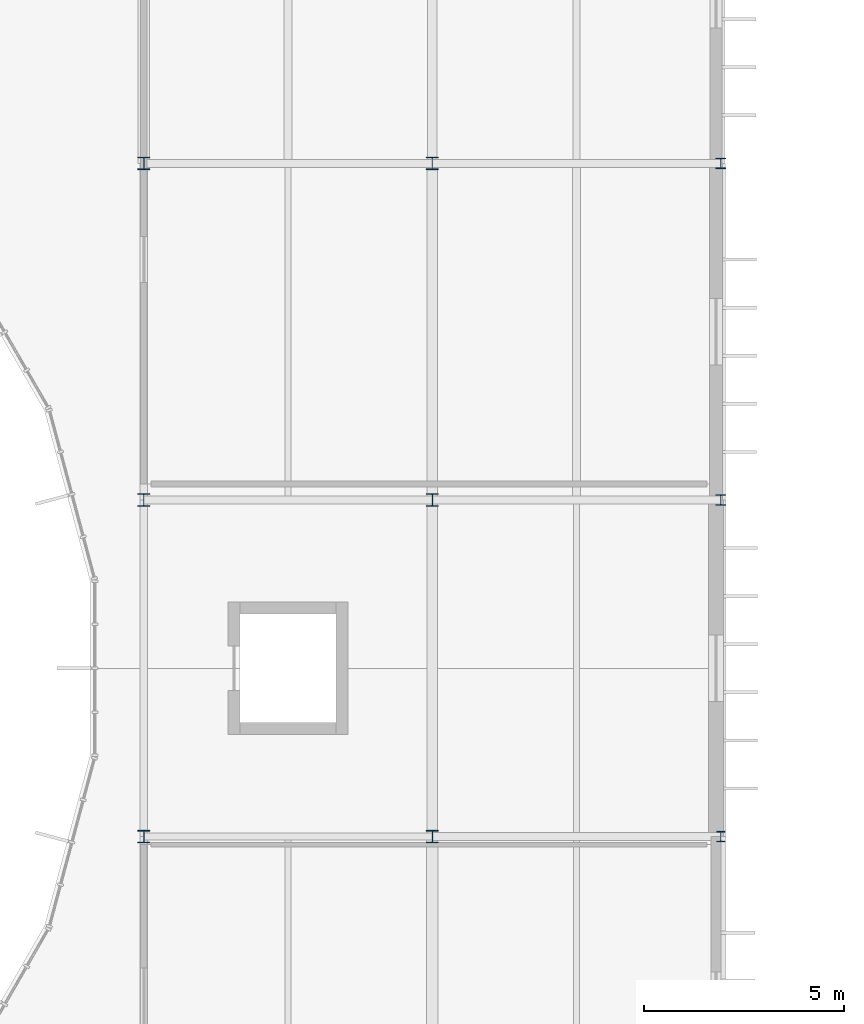
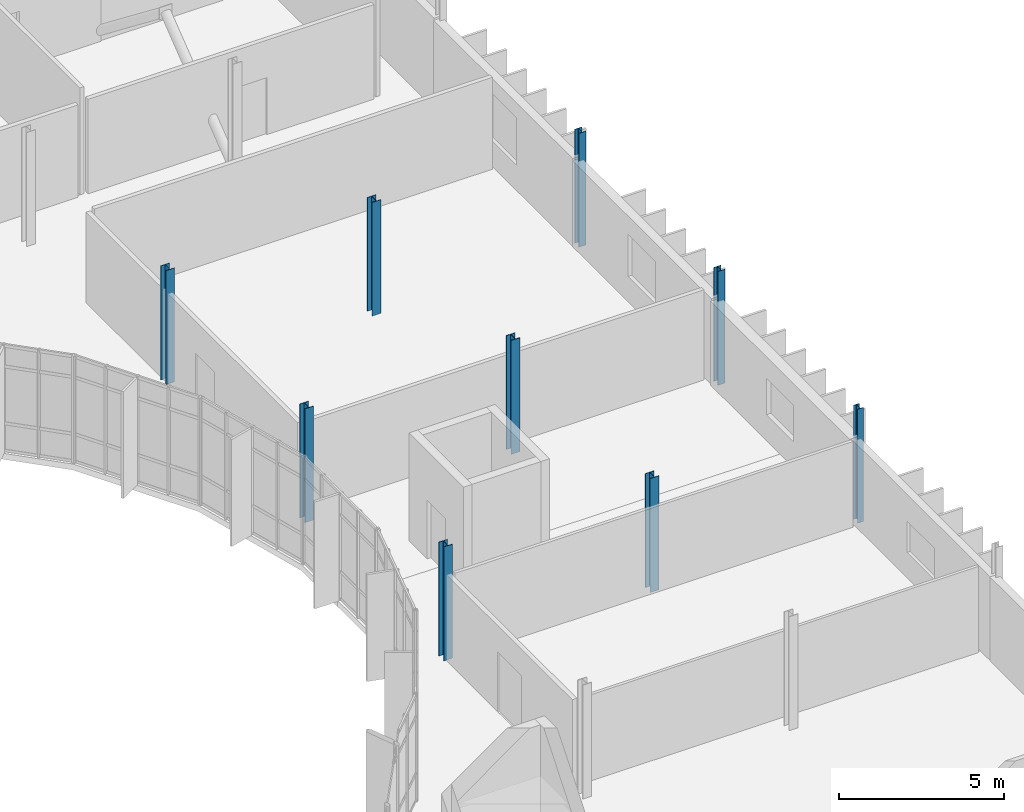
# One storey, part 23 of 119: 9 columns.
"""IFC4 building model written with IfcOpenShell, lengths in metres."""

from ifc_helpers import new_model, si_unit, direction, frame, origin, origin_2d, place, context, subcontext, project, spatial, i_section, extrude, material, material_profile, profile_set, type_object, element, save


model = new_model("IFC4")

# Units and contexts
model_context = context("Model", 3, precision=1e-05, world=origin(), true_north=direction((0.0, 1.0)))
body_context = subcontext(model_context, "Body", "Model", "MODEL_VIEW")
ifc_project = project(units=[si_unit("LENGTHUNIT", "METRE"), si_unit("AREAUNIT", "SQUARE_METRE"), si_unit("VOLUMEUNIT", "CUBIC_METRE"), si_unit("PLANEANGLEUNIT", "RADIAN"), si_unit("MASSUNIT", "GRAM", prefix="KILO")], contexts=[model_context])

# Site, building, storey
site_placement = place(None, origin())
site = spatial("IfcSite", under=ifc_project, at=site_placement, CompositionType="ELEMENT")
building_placement = place(site_placement, origin())
building = spatial("IfcBuilding", under=site, at=building_placement, Name="Qelthora Terrace Specialist Clinic", CompositionType="ELEMENT")
storey_placement = place(building_placement, frame((0.0, 0.0, 4.800048828125)))
storey = spatial("IfcBuildingStorey", under=building, at=storey_placement, Name="L01", CompositionType="ELEMENT", Elevation=4.800048828125)

# Columns
ifc_material = material(Name="Steel S355", Category="steel")
ifc_material_profile_1 = material_profile(ifc_material, i_section(OverallWidth=0.2041015625, OverallDepth=0.257080078125, WebThickness=0.0087890625, FlangeThickness=0.015625, FilletRadius=0.012939453125, at=origin_2d()), Name="W250X67")
ifc_profile_set_1 = profile_set([ifc_material_profile_1], Name="Steel S355")
column_type_1 = type_object("IfcColumnType", Name="COL-W250X67", PredefinedType="COLUMN", material=ifc_profile_set_1)
column_1_placement = place(storey_placement, frame((158.39990234375, 58.800048828125, 0.0), z_axis=(0.0, 0.0, 1.0), x_axis=(1.0, 0.0, 0.0)))
element("IfcColumn", 1, at=column_1_placement, inside=storey, type_object=column_type_1, Name="Column L01-255", PredefinedType="COLUMN", context=body_context, shape_type="SweptSolid", body=[
    extrude(i_section(OverallWidth=0.2041015625, OverallDepth=0.257080078125, WebThickness=0.0087890625, FlangeThickness=0.015625, FilletRadius=0.012939453125, at=origin_2d()), origin(), (0.0, 0.0, 1.0), 4.199951171875),
])
ifc_material_profile_2 = material_profile(ifc_material, i_section(OverallWidth=0.2548828125, OverallDepth=0.256103515625, WebThickness=0.009521484375, FlangeThickness=0.015625, FilletRadius=0.012939453125, at=origin_2d()), Name="W250X80")
ifc_profile_set_2 = profile_set([ifc_material_profile_2], Name="Steel S355")
column_type_2 = type_object("IfcColumnType", Name="COL-W250X80", PredefinedType="COLUMN", material=ifc_profile_set_2)
column_2_placement = place(storey_placement, frame((158.39990234375, 75.60009765625, 0.0), z_axis=(0.0, 0.0, 1.0), x_axis=(1.0, 0.0, 0.0)))
element("IfcColumn", 2, at=column_2_placement, inside=storey, type_object=column_type_2, Name="Column L01-257", PredefinedType="COLUMN", context=body_context, shape_type="SweptSolid", body=[
    extrude(i_section(OverallWidth=0.2548828125, OverallDepth=0.256103515625, WebThickness=0.009521484375, FlangeThickness=0.015625, FilletRadius=0.012939453125, at=origin_2d()), origin(), (0.0, 0.0, 1.0), 4.199951171875),
])
ifc_material_profile_3 = material_profile(ifc_material, i_section(OverallWidth=0.256103515625, OverallDepth=0.260009765625, WebThickness=0.0107421875, FlangeThickness=0.017333984375, FilletRadius=0.012939453125, at=origin_2d()), Name="W250X89")
ifc_profile_set_3 = profile_set([ifc_material_profile_3], Name="Steel S355")
column_type_3 = type_object("IfcColumnType", Name="COL-W250X89", PredefinedType="COLUMN", material=ifc_profile_set_3)
column_3_placement = place(storey_placement, frame((158.39990234375, 67.199951171875, 0.0), z_axis=(0.0, 0.0, 1.0), x_axis=(1.0, 0.0, 0.0)))
element("IfcColumn", 3, at=column_3_placement, inside=storey, type_object=column_type_3, Name="Column L01-256", PredefinedType="COLUMN", context=body_context, shape_type="SweptSolid", body=[
    extrude(i_section(OverallWidth=0.256103515625, OverallDepth=0.260009765625, WebThickness=0.0107421875, FlangeThickness=0.017333984375, FilletRadius=0.012939453125, at=origin_2d()), origin(), (0.0, 0.0, 1.0), 4.199951171875),
])
ifc_material_profile_4 = material_profile(ifc_material, i_section(OverallWidth=0.305908203125, OverallDepth=0.31103515625, WebThickness=0.010986328125, FlangeThickness=0.01708984375, FilletRadius=0.014892578125, at=origin_2d()), Name="W310X107")
ifc_profile_set_4 = profile_set([ifc_material_profile_4], Name="Steel S355")
column_type_4 = type_object("IfcColumnType", Name="COL-W310X107", PredefinedType="COLUMN", material=ifc_profile_set_4)
for number, where, z_axis, x_axis, name in (
    (4, (144.0, 58.800048828125, 0.0), (0.0, 0.0, 1.0), (1.0, 0.0, 0.0), "Column L01-229"),
    (5, (151.199951171875, 67.199951171875, 0.0), (0.0, 0.0, 1.0), (1.0, 0.0, 0.0), "Column L01-244"),
):
    element("IfcColumn", number, at=place(storey_placement, frame(where, z_axis=z_axis, x_axis=x_axis)), inside=storey, type_object=column_type_4, Name=name, PredefinedType="COLUMN", context=body_context, shape_type="SweptSolid", body=[
        extrude(i_section(OverallWidth=0.305908203125, OverallDepth=0.31103515625, WebThickness=0.010986328125, FlangeThickness=0.01708984375, FilletRadius=0.014892578125, at=origin_2d()), origin(), (0.0, 0.0, 1.0), 4.199951171875),
    ])
ifc_material_profile_5 = material_profile(ifc_material, i_section(OverallWidth=0.306884765625, OverallDepth=0.31396484375, WebThickness=0.011962890625, FlangeThickness=0.018798828125, FilletRadius=0.01611328125, at=origin_2d()), Name="W310X118")
ifc_profile_set_5 = profile_set([ifc_material_profile_5], Name="Steel S355")
column_type_5 = type_object("IfcColumnType", Name="COL-W310X118", PredefinedType="COLUMN", material=ifc_profile_set_5)
for number, where, z_axis, x_axis, name in (
    (6, (144.0, 75.60009765625, 0.0), (0.0, 0.0, 1.0), (1.0, 0.0, 0.0), "Column L01-231"),
    (7, (151.199951171875, 58.800048828125, 0.0), (0.0, 0.0, 1.0), (1.0, 0.0, 0.0), "Column L01-243"),
):
    element("IfcColumn", number, at=place(storey_placement, frame(where, z_axis=z_axis, x_axis=x_axis)), inside=storey, type_object=column_type_5, Name=name, PredefinedType="COLUMN", context=body_context, shape_type="SweptSolid", body=[
        extrude(i_section(OverallWidth=0.306884765625, OverallDepth=0.31396484375, WebThickness=0.011962890625, FlangeThickness=0.018798828125, FilletRadius=0.01611328125, at=origin_2d()), origin(), (0.0, 0.0, 1.0), 4.199951171875),
    ])
ifc_material_profile_6 = material_profile(ifc_material, i_section(OverallWidth=0.304931640625, OverallDepth=0.30810546875, WebThickness=0.010009765625, FlangeThickness=0.015380859375, FilletRadius=0.014892578125, at=origin_2d()), Name="W310X97")
ifc_profile_set_6 = profile_set([ifc_material_profile_6], Name="Steel S355")
column_type_6 = type_object("IfcColumnType", Name="COL-W310X97", PredefinedType="COLUMN", material=ifc_profile_set_6)
for number, where, z_axis, x_axis, name in (
    (8, (144.0, 67.199951171875, 0.0), (0.0, 0.0, 1.0), (1.0, 0.0, 0.0), "Column L01-230"),
    (9, (151.199951171875, 75.60009765625, 0.0), (0.0, 0.0, 1.0), (1.0, 0.0, 0.0), "Column L01-245"),
):
    element("IfcColumn", number, at=place(storey_placement, frame(where, z_axis=z_axis, x_axis=x_axis)), inside=storey, type_object=column_type_6, Name=name, PredefinedType="COLUMN", context=body_context, shape_type="SweptSolid", body=[
        extrude(i_section(OverallWidth=0.304931640625, OverallDepth=0.30810546875, WebThickness=0.010009765625, FlangeThickness=0.015380859375, FilletRadius=0.014892578125, at=origin_2d()), origin(), (0.0, 0.0, 1.0), 4.199951171875),
    ])

save(model, "model.ifc")
